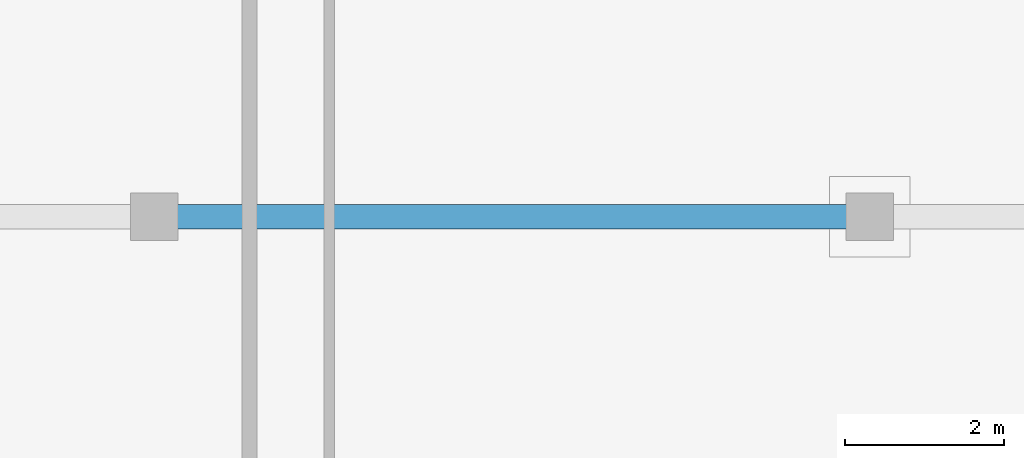
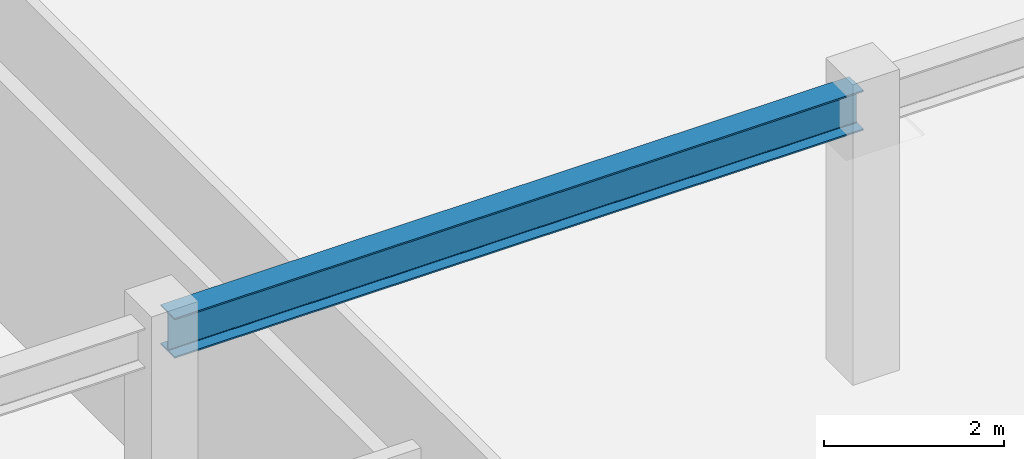
# One storey, part 22 of 110: 1 beam.
"""IFC4 building model written with IfcOpenShell, lengths in metres."""

from ifc_helpers import new_model, si_unit, direction, frame, origin, origin_2d, place, context, subcontext, project, spatial, i_section, extrude, material, material_profile, profile_set, type_object, element, save


model = new_model("IFC4")

# Units and contexts
model_context = context("Model", 3, precision=1e-05, world=origin(), true_north=direction((0.0, 1.0)))
body_context = subcontext(model_context, "Body", "Model", "MODEL_VIEW")
ifc_project = project(units=[si_unit("LENGTHUNIT", "METRE"), si_unit("AREAUNIT", "SQUARE_METRE"), si_unit("VOLUMEUNIT", "CUBIC_METRE"), si_unit("PLANEANGLEUNIT", "RADIAN"), si_unit("MASSUNIT", "GRAM", prefix="KILO")], contexts=[model_context])

# Site, building, storey
site_placement = place(None, origin())
site = spatial("IfcSite", under=ifc_project, at=site_placement, CompositionType="ELEMENT")
building_placement = place(site_placement, origin())
building = spatial("IfcBuilding", under=site, at=building_placement, Name="Miravela Opera House", CompositionType="ELEMENT")
storey_placement = place(building_placement, frame((0.0, 0.0, 13.60009765625)))
storey = spatial("IfcBuildingStorey", under=building, at=storey_placement, Name="L03", CompositionType="ELEMENT", Elevation=13.60009765625)

# Beam
ifc_material = material(Name="Structural steel ASTM A992 Gr. 50", Category="steel")
ifc_material_profile = material_profile(ifc_material, i_section(OverallWidth=0.31201171875, OverallDepth=0.54296875, WebThickness=0.0126953125, FlangeThickness=0.020263671875, FilletRadius=0.01611328125, at=origin_2d()), Name="W530X150")
ifc_profile_set = profile_set([ifc_material_profile])
beam_type = type_object("IfcBeamType", Name="STR-BM-W530X150", PredefinedType="BEAM", material=ifc_profile_set)
beam_placement = place(storey_placement, frame((72.080078125, 18.0, 3.568359375), z_axis=(1.0, 0.0, 0.0), x_axis=(0.0, 1.0, 0.0)))
element("IfcBeam", 1, at=beam_placement, inside=storey, type_object=beam_type, Name="Roof King-Post Transverse Tie Girder ROOF-V4-MID T1.2", PredefinedType="BEAM", context=body_context, shape_type="SweptSolid", body=[
    extrude(i_section(OverallWidth=0.31201171875, OverallDepth=0.54296875, WebThickness=0.0126953125, FlangeThickness=0.020263671875, FilletRadius=0.01611328125, at=origin_2d()), origin(), (0.0, 0.0, 1.0), 8.83984375),
])

save(model, "model.ifc")
